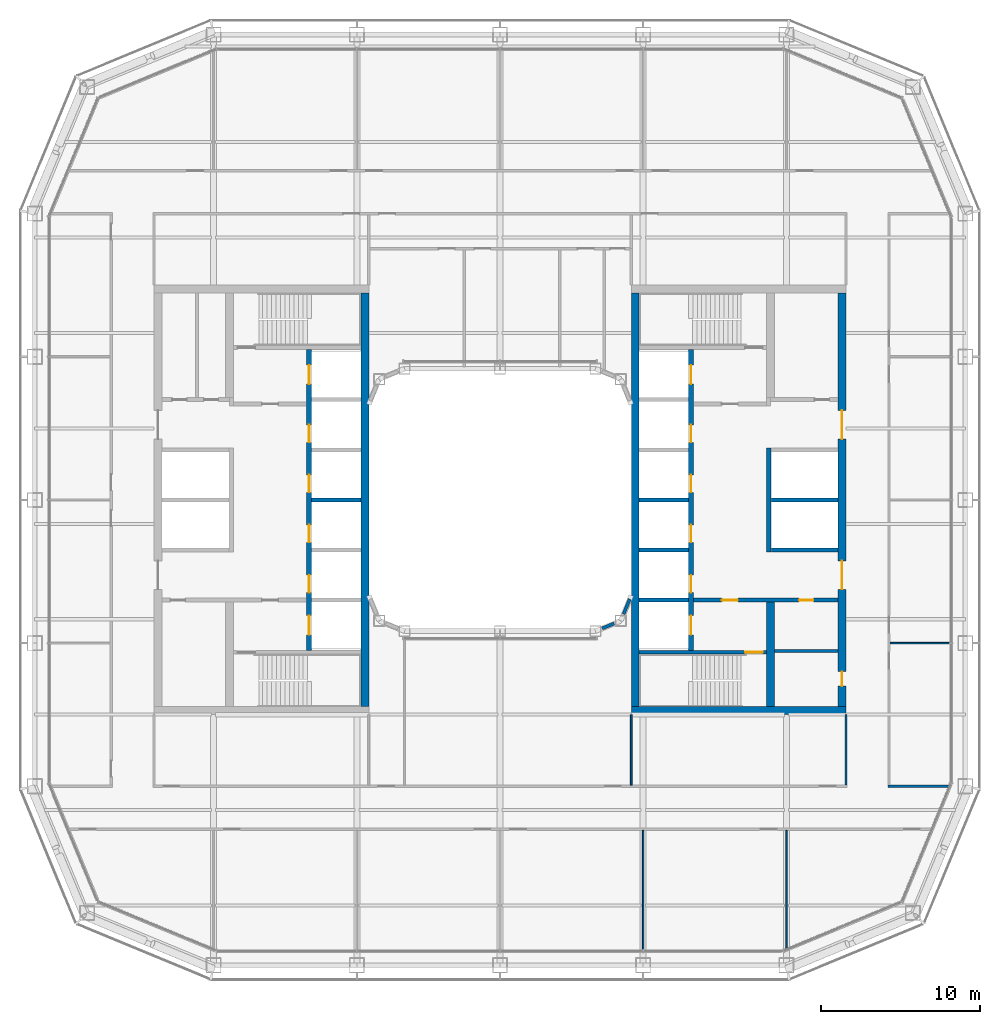
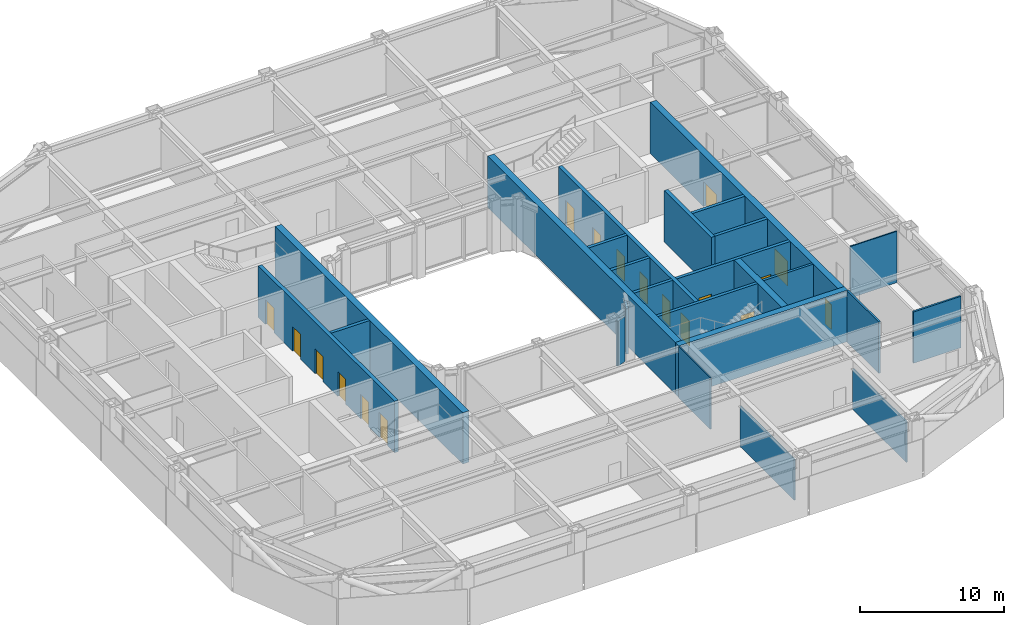
# One storey, part 12 of 21: 25 walls, 18 doors, 18 openings.
"""IFC4 building model written with IfcOpenShell, lengths in metres."""

from ifc_helpers import new_model, si_unit, direction, frame, frame_2d, origin, place, context, subcontext, project, spatial, rectangle, extrude, material, layer, layer_set, type_object, element, fill, save


model = new_model("IFC4")

# Units and contexts
model_context = context("Model", 3, precision=1e-05, world=origin(), true_north=direction((0.0, 1.0)))
body_context = subcontext(model_context, "Body", "Model", "MODEL_VIEW")
ifc_project = project(units=[si_unit("LENGTHUNIT", "METRE"), si_unit("AREAUNIT", "SQUARE_METRE"), si_unit("VOLUMEUNIT", "CUBIC_METRE"), si_unit("PLANEANGLEUNIT", "RADIAN"), si_unit("MASSUNIT", "GRAM", prefix="KILO")], contexts=[model_context])

# Site, building, storey
site_placement = place(None, origin())
site = spatial("IfcSite", under=ifc_project, at=site_placement, CompositionType="ELEMENT")
building_placement = place(site_placement, origin())
building = spatial("IfcBuilding", under=site, at=building_placement, Name="Siwar Civic Tower", CompositionType="ELEMENT")
storey_placement = place(building_placement, frame((0.0, 0.0, 122.699951171875)))
storey = spatial("IfcBuildingStorey", under=building, at=storey_placement, Name="L26", CompositionType="ELEMENT", Elevation=122.699951171875)

# Walls
ifc_material_1 = material(Name="Gypsum board on steel studs", Category="steel")
ifc_layer_1 = layer(ifc_material_1, 0.199951171875)
ifc_layer_set_1 = layer_set([ifc_layer_1], Name="Gypsum board on steel studs")
wall_type_1 = type_object("IfcWallType", Name="CORE-PARTITION-200", PredefinedType="PARTITIONING", material=ifc_layer_set_1)
wall_1_placement = place(storey_placement, frame((17.25, -9.5, 0.0), z_axis=(0.0, 0.0, 1.0), x_axis=(1.0, 0.0, 0.0)))
element("IfcWall", 1, at=wall_1_placement, inside=storey, type_object=wall_type_1, Name="Core partition E", PredefinedType="PARTITIONING", context=body_context, shape_type="SweptSolid", body=[
    extrude(rectangle(XDim=4.0, YDim=0.199951171875, at=frame_2d((2.0, 0.0))), origin(), (0.0, 0.0, 1.0), 4.35009765625),
])
ifc_material_2 = material(Name="Concrete C60/75", Category="concrete")
ifc_layer_2 = layer(ifc_material_2, 0.25)
ifc_layer_set_2 = layer_set([ifc_layer_2], Name="Concrete C60/75")
wall_type_2 = type_object("IfcWallType", Name="CORE-WALL-RC250", PredefinedType="SHEAR", material=ifc_layer_set_2)
wall_2_placement = place(storey_placement, frame((-8.75, 0.0, 0.0), z_axis=(0.0, 0.0, 1.0), x_axis=(-1.0, 0.0, 0.0)))
element("IfcWall", 2, at=wall_2_placement, inside=storey, type_object=wall_type_2, Name="Core wall W", PredefinedType="SHEAR", context=body_context, shape_type="SweptSolid", body=[
    extrude(rectangle(XDim=3.10009765625, YDim=0.25, at=frame_2d((1.550048828125, 0.0))), origin(), (0.0, 0.0, 1.0), 4.35009765625),
])

# Wall, openings, doors
wall_3_placement = place(storey_placement, frame((12.14990234375, -6.300048828125, 0.0), z_axis=(0.0, 0.0, 1.0), x_axis=(1.0, 0.0, 0.0)))
wall_3 = element("IfcWall", 3, at=wall_3_placement, inside=storey, type_object=wall_type_2, Name="Core wall E", PredefinedType="SHEAR", context=body_context, shape_type="SweptSolid", body=[
    extrude(rectangle(XDim=9.10009765625, YDim=0.25, at=frame_2d((4.550048828125, 0.0))), origin(), (0.0, 0.0, 1.0), 4.35009765625),
])
opening_1_placement = place(wall_3_placement, frame((1.800048828125, 0.0, 0.0)))
opening_1 = element("IfcOpeningElement", 4, at=opening_1_placement, cuts=wall_3, Name="Opening L26-CE02", PredefinedType="OPENING", context=body_context, shape_type="SweptSolid", body=[
    extrude(rectangle(XDim=1.0, YDim=2.10009765625, at=frame_2d((0.5, 1.050048828125))), frame((0.0, 0.135009765625, 0.0), z_axis=(0.0, -1.0, 0.0), x_axis=(1.0, 0.0, 0.0)), (0.0, 0.0, 1.0), 0.27001953125),
])
opening_2_placement = place(wall_3_placement, frame((6.64990234375, 0.0, 0.0)))
opening_2 = element("IfcOpeningElement", 5, at=opening_2_placement, cuts=wall_3, Name="Opening L26-CE14", PredefinedType="OPENING", context=body_context, shape_type="SweptSolid", body=[
    extrude(rectangle(XDim=0.89990234375, YDim=2.10009765625, at=frame_2d((0.449951171875, 1.050048828125))), frame((0.0, 0.135009765625, 0.0), z_axis=(0.0, -1.0, 0.0), x_axis=(1.0, 0.0, 0.0)), (0.0, 0.0, 1.0), 0.27001953125),
])
ifc_material_3 = material(Name="Steel door leaf", Category="steel")
door_type_1 = type_object("IfcDoorType", Name="CORE-DOOR-FD30S", OperationType="SINGLE_SWING_LEFT", PredefinedType="DOOR", material=ifc_material_3)
door_1_placement = place(opening_1_placement, origin())
door_1 = element("IfcDoor", 6, at=door_1_placement, inside=storey, type_object=door_type_1, Name="Service lobby door L26-CE02", OperationType="SINGLE_SWING_LEFT", OverallHeight=2.10009765625, OverallWidth=1.0, PredefinedType="DOOR", context=body_context, shape_type="SweptSolid", body=[
    extrude(rectangle(XDim=1.0, YDim=2.10009765625, at=frame_2d((0.5, 1.050048828125))), frame((0.0, 0.02490234375, 0.0), z_axis=(0.0, -1.0, 0.0), x_axis=(1.0, 0.0, 0.0)), (0.0, 0.0, 1.0), 0.050048828125),
])
fill(opening_1, door_1)
ifc_material_4 = material(Name="Steel door leaf", Category="steel")
door_type_2 = type_object("IfcDoorType", Name="CORE-DOOR-ROOM", OperationType="SINGLE_SWING_LEFT", PredefinedType="DOOR", material=ifc_material_4)
door_2_placement = place(opening_2_placement, origin())
door_2 = element("IfcDoor", 7, at=door_2_placement, inside=storey, type_object=door_type_2, Name="Core room door L26-CE14", OperationType="SINGLE_SWING_LEFT", OverallHeight=2.10009765625, OverallWidth=0.89990234375, PredefinedType="DOOR", context=body_context, shape_type="SweptSolid", body=[
    extrude(rectangle(XDim=0.89990234375, YDim=2.10009765625, at=frame_2d((0.449951171875, 1.050048828125))), frame((0.0, 0.02490234375, 0.0), z_axis=(0.0, -1.0, 0.0), x_axis=(1.0, 0.0, 0.0)), (0.0, 0.0, 1.0), 0.050048828125),
])
fill(opening_2, door_2)

# Walls
for number, where, z_axis, x_axis, name in (
    (8, (17.050048828125, 0.0, 0.0), (0.0, 0.0, 1.0), (1.0, 0.0, 0.0), "Core wall E"),
    (9, (17.050048828125, -3.14990234375, 0.0), (0.0, 0.0, 1.0), (1.0, 0.0, 0.0), "Core wall E"),
):
    element("IfcWall", number, at=place(storey_placement, frame(where, z_axis=z_axis, x_axis=x_axis)), inside=storey, type_object=wall_type_2, Name=name, PredefinedType="SHEAR", context=body_context, shape_type="SweptSolid", body=[
        extrude(rectangle(XDim=4.199951171875, YDim=0.25, at=frame_2d((2.10009765625, 0.0))), origin(), (0.0, 0.0, 1.0), 4.35009765625),
    ])
for number, where, z_axis, x_axis, name in (
    (10, (8.75, 0.0, 0.0), (0.0, 0.0, 1.0), (1.0, 0.0, 0.0), "Core wall E"),
    (11, (8.75, -3.14990234375, 0.0), (0.0, 0.0, 1.0), (1.0, 0.0, 0.0), "Core wall E"),
    (12, (8.75, -6.300048828125, 0.0), (0.0, 0.0, 1.0), (1.0, 0.0, 0.0), "Core wall E"),
):
    element("IfcWall", number, at=place(storey_placement, frame(where, z_axis=z_axis, x_axis=x_axis)), inside=storey, type_object=wall_type_2, Name=name, PredefinedType="SHEAR", context=body_context, shape_type="SweptSolid", body=[
        extrude(rectangle(XDim=3.10009765625, YDim=0.25, at=frame_2d((1.550048828125, 0.0))), origin(), (0.0, 0.0, 1.0), 4.35009765625),
    ])

# Wall, opening, door
wall_4_placement = place(storey_placement, frame((8.75, -9.574951171875, 0.0), z_axis=(0.0, 0.0, 1.0), x_axis=(1.0, 0.0, 0.0)))
wall_4 = element("IfcWall", 13, at=wall_4_placement, inside=storey, type_object=wall_type_2, Name="Core wall E", PredefinedType="SHEAR", context=body_context, shape_type="SweptSolid", body=[
    extrude(rectangle(XDim=8.0, YDim=0.25, at=frame_2d((4.0, 0.0))), origin(), (0.0, 0.0, 1.0), 4.35009765625),
])
opening_3_placement = place(wall_4_placement, frame((6.64990234375, 0.0, 0.0)))
opening_3 = element("IfcOpeningElement", 14, at=opening_3_placement, cuts=wall_4, Name="Opening L26-CE04", PredefinedType="OPENING", context=body_context, shape_type="SweptSolid", body=[
    extrude(rectangle(XDim=1.10009765625, YDim=2.10009765625, at=frame_2d((0.550048828125, 1.050048828125))), frame((0.0, 0.135009765625, 0.0), z_axis=(0.0, -1.0, 0.0), x_axis=(1.0, 0.0, 0.0)), (0.0, 0.0, 1.0), 0.27001953125),
])
ifc_material_5 = material(Name="Steel door leaf", Category="steel")
door_type_3 = type_object("IfcDoorType", Name="CORE-DOOR-FD60S", OperationType="SINGLE_SWING_LEFT", PredefinedType="DOOR", material=ifc_material_5)
door_3_placement = place(opening_3_placement, origin())
door_3 = element("IfcDoor", 15, at=door_3_placement, inside=storey, type_object=door_type_3, Name="Stair door L26-CE04", OperationType="SINGLE_SWING_RIGHT", OverallHeight=2.10009765625, OverallWidth=1.10009765625, PredefinedType="DOOR", context=body_context, shape_type="SweptSolid", body=[
    extrude(rectangle(XDim=1.10009765625, YDim=2.10009765625, at=frame_2d((0.550048828125, 1.050048828125))), frame((0.0, 0.02490234375, 0.0), z_axis=(0.0, -1.0, 0.0), x_axis=(1.0, 0.0, 0.0)), (0.0, 0.0, 1.0), 0.050048828125),
])
fill(opening_3, door_3)

# Wall, openings, doors
ifc_material_6 = material(Name="Concrete C60/75", Category="concrete")
ifc_layer_3 = layer(ifc_material_6, 0.300048828125)
ifc_layer_set_3 = layer_set([ifc_layer_3], Name="Concrete C60/75")
wall_type_3 = type_object("IfcWallType", Name="CORE-WALL-RC300", PredefinedType="SHEAR", material=ifc_layer_set_3)
wall_5_placement = place(storey_placement, frame((-12.0, -9.449951171875, 0.0), z_axis=(0.0, 0.0, 1.0), x_axis=(0.0, 1.0, 0.0)))
wall_5 = element("IfcWall", 16, at=wall_5_placement, inside=storey, type_object=wall_type_3, Name="Core wall W", PredefinedType="SHEAR", context=body_context, shape_type="SweptSolid", body=[
    extrude(rectangle(XDim=18.89990234375, YDim=0.300048828125, at=frame_2d((9.449951171875, 0.0))), origin(), (0.0, 0.0, 1.0), 4.35009765625),
])
opening_4_placement = place(wall_5_placement, frame((3.625, 0.0, 0.0)))
opening_4 = element("IfcOpeningElement", 17, at=opening_4_placement, cuts=wall_5, Name="Opening L26-CW07", PredefinedType="OPENING", context=body_context, shape_type="SweptSolid", body=[
    extrude(rectangle(XDim=1.10009765625, YDim=2.10009765625, at=frame_2d((0.550048828125, 1.050048828125))), frame((0.0, 0.16015625, 0.0), z_axis=(0.0, -1.0, 0.0), x_axis=(1.0, 0.0, 0.0)), (0.0, 0.0, 1.0), 0.320068359375),
])
opening_5_placement = place(wall_5_placement, frame((6.77490234375, 0.0, 0.0)))
opening_5 = element("IfcOpeningElement", 18, at=opening_5_placement, cuts=wall_5, Name="Opening L26-CW08", PredefinedType="OPENING", context=body_context, shape_type="SweptSolid", body=[
    extrude(rectangle(XDim=1.10009765625, YDim=2.10009765625, at=frame_2d((0.550048828125, 1.050048828125))), frame((0.0, 0.16015625, 0.0), z_axis=(0.0, -1.0, 0.0), x_axis=(1.0, 0.0, 0.0)), (0.0, 0.0, 1.0), 0.320068359375),
])
opening_6_placement = place(wall_5_placement, frame((9.925048828125, 0.0, 0.0)))
opening_6 = element("IfcOpeningElement", 19, at=opening_6_placement, cuts=wall_5, Name="Opening L26-CW09", PredefinedType="OPENING", context=body_context, shape_type="SweptSolid", body=[
    extrude(rectangle(XDim=1.10009765625, YDim=2.10009765625, at=frame_2d((0.550048828125, 1.050048828125))), frame((0.0, 0.16015625, 0.0), z_axis=(0.0, -1.0, 0.0), x_axis=(1.0, 0.0, 0.0)), (0.0, 0.0, 1.0), 0.320068359375),
])
opening_7_placement = place(wall_5_placement, frame((13.074951171875, 0.0, 0.0)))
opening_7 = element("IfcOpeningElement", 20, at=opening_7_placement, cuts=wall_5, Name="Opening L26-CW10", PredefinedType="OPENING", context=body_context, shape_type="SweptSolid", body=[
    extrude(rectangle(XDim=1.10009765625, YDim=2.10009765625, at=frame_2d((0.550048828125, 1.050048828125))), frame((0.0, 0.16015625, 0.0), z_axis=(0.0, -1.0, 0.0), x_axis=(1.0, 0.0, 0.0)), (0.0, 0.0, 1.0), 0.320068359375),
])
opening_8_placement = place(wall_5_placement, frame((16.72509765625, 0.0, 0.0)))
opening_8 = element("IfcOpeningElement", 21, at=opening_8_placement, cuts=wall_5, Name="Opening L26-CW11", PredefinedType="OPENING", context=body_context, shape_type="SweptSolid", body=[
    extrude(rectangle(XDim=1.199951171875, YDim=2.10009765625, at=frame_2d((0.60009765625, 1.050048828125))), frame((0.0, 0.16015625, 0.0), z_axis=(0.0, -1.0, 0.0), x_axis=(1.0, 0.0, 0.0)), (0.0, 0.0, 1.0), 0.320068359375),
])
opening_9_placement = place(wall_5_placement, frame((0.97509765625, 0.0, 0.0)))
opening_9 = element("IfcOpeningElement", 22, at=opening_9_placement, cuts=wall_5, Name="Opening L26-CW12", PredefinedType="OPENING", context=body_context, shape_type="SweptSolid", body=[
    extrude(rectangle(XDim=1.199951171875, YDim=2.10009765625, at=frame_2d((0.60009765625, 1.050048828125))), frame((0.0, 0.16015625, 0.0), z_axis=(0.0, -1.0, 0.0), x_axis=(1.0, 0.0, 0.0)), (0.0, 0.0, 1.0), 0.320068359375),
])
ifc_material_7 = material(Name="Steel door leaf", Category="steel")
door_type_4 = type_object("IfcDoorType", Name="CORE-DOOR-LD", OperationType="DOUBLE_DOOR_SLIDING", PredefinedType="DOOR", material=ifc_material_7)
door_4_placement = place(opening_4_placement, origin())
door_4 = element("IfcDoor", 23, at=door_4_placement, inside=storey, type_object=door_type_4, Name="Landing door LR1 L26-CW07", OperationType="DOUBLE_DOOR_SLIDING", OverallHeight=2.10009765625, OverallWidth=1.10009765625, PredefinedType="DOOR", context=body_context, shape_type="SweptSolid", body=[
    extrude(rectangle(XDim=1.10009765625, YDim=2.10009765625, at=frame_2d((0.550048828125, 1.050048828125))), frame((0.0, 0.02490234375, 0.0), z_axis=(0.0, -1.0, 0.0), x_axis=(1.0, 0.0, 0.0)), (0.0, 0.0, 1.0), 0.050048828125),
])
fill(opening_4, door_4)
door_5_placement = place(opening_5_placement, origin())
door_5 = element("IfcDoor", 24, at=door_5_placement, inside=storey, type_object=door_type_4, Name="Landing door LR2 L26-CW08", OperationType="DOUBLE_DOOR_SLIDING", OverallHeight=2.10009765625, OverallWidth=1.10009765625, PredefinedType="DOOR", context=body_context, shape_type="SweptSolid", body=[
    extrude(rectangle(XDim=1.10009765625, YDim=2.10009765625, at=frame_2d((0.550048828125, 1.050048828125))), frame((0.0, 0.02490234375, 0.0), z_axis=(0.0, -1.0, 0.0), x_axis=(1.0, 0.0, 0.0)), (0.0, 0.0, 1.0), 0.050048828125),
])
fill(opening_5, door_5)
door_6_placement = place(opening_6_placement, origin())
door_6 = element("IfcDoor", 25, at=door_6_placement, inside=storey, type_object=door_type_4, Name="Landing door LR3 L26-CW09", OperationType="DOUBLE_DOOR_SLIDING", OverallHeight=2.10009765625, OverallWidth=1.10009765625, PredefinedType="DOOR", context=body_context, shape_type="SweptSolid", body=[
    extrude(rectangle(XDim=1.10009765625, YDim=2.10009765625, at=frame_2d((0.550048828125, 1.050048828125))), frame((0.0, 0.02490234375, 0.0), z_axis=(0.0, -1.0, 0.0), x_axis=(1.0, 0.0, 0.0)), (0.0, 0.0, 1.0), 0.050048828125),
])
fill(opening_6, door_6)
door_7_placement = place(opening_7_placement, origin())
door_7 = element("IfcDoor", 26, at=door_7_placement, inside=storey, type_object=door_type_4, Name="Landing door LR4 L26-CW10", OperationType="DOUBLE_DOOR_SLIDING", OverallHeight=2.10009765625, OverallWidth=1.10009765625, PredefinedType="DOOR", context=body_context, shape_type="SweptSolid", body=[
    extrude(rectangle(XDim=1.10009765625, YDim=2.10009765625, at=frame_2d((0.550048828125, 1.050048828125))), frame((0.0, 0.02490234375, 0.0), z_axis=(0.0, -1.0, 0.0), x_axis=(1.0, 0.0, 0.0)), (0.0, 0.0, 1.0), 0.050048828125),
])
fill(opening_7, door_7)
ifc_material_8 = material(Name="Steel door leaf", Category="steel")
door_type_5 = type_object("IfcDoorType", Name="CORE-DOOR-LDW", OperationType="DOUBLE_DOOR_SLIDING", PredefinedType="DOOR", material=ifc_material_8)
door_8_placement = place(opening_8_placement, origin())
door_8 = element("IfcDoor", 27, at=door_8_placement, inside=storey, type_object=door_type_5, Name="Landing door FF1 L26-CW11", OperationType="DOUBLE_DOOR_SLIDING", OverallHeight=2.10009765625, OverallWidth=1.199951171875, PredefinedType="DOOR", context=body_context, shape_type="SweptSolid", body=[
    extrude(rectangle(XDim=1.199951171875, YDim=2.10009765625, at=frame_2d((0.60009765625, 1.050048828125))), frame((0.0, 0.02490234375, 0.0), z_axis=(0.0, -1.0, 0.0), x_axis=(1.0, 0.0, 0.0)), (0.0, 0.0, 1.0), 0.050048828125),
])
fill(opening_8, door_8)
door_9_placement = place(opening_9_placement, origin())
door_9 = element("IfcDoor", 28, at=door_9_placement, inside=storey, type_object=door_type_5, Name="Landing door SV1 L26-CW12", OperationType="DOUBLE_DOOR_SLIDING", OverallHeight=2.10009765625, OverallWidth=1.199951171875, PredefinedType="DOOR", context=body_context, shape_type="SweptSolid", body=[
    extrude(rectangle(XDim=1.199951171875, YDim=2.10009765625, at=frame_2d((0.60009765625, 1.050048828125))), frame((0.0, 0.02490234375, 0.0), z_axis=(0.0, -1.0, 0.0), x_axis=(1.0, 0.0, 0.0)), (0.0, 0.0, 1.0), 0.050048828125),
])
fill(opening_9, door_9)

wall_6_placement = place(storey_placement, frame((12.0, -9.449951171875, 0.0), z_axis=(0.0, 0.0, 1.0), x_axis=(0.0, 1.0, 0.0)))
wall_6 = element("IfcWall", 29, at=wall_6_placement, inside=storey, type_object=wall_type_3, Name="Core wall E", PredefinedType="SHEAR", context=body_context, shape_type="SweptSolid", body=[
    extrude(rectangle(XDim=18.89990234375, YDim=0.300048828125, at=frame_2d((9.449951171875, 0.0))), origin(), (0.0, 0.0, 1.0), 4.35009765625),
])
opening_10_placement = place(wall_6_placement, frame((3.625, 0.0, 0.0)))
opening_10 = element("IfcOpeningElement", 30, at=opening_10_placement, cuts=wall_6, Name="Opening L26-CE07", PredefinedType="OPENING", context=body_context, shape_type="SweptSolid", body=[
    extrude(rectangle(XDim=1.10009765625, YDim=2.10009765625, at=frame_2d((0.550048828125, 1.050048828125))), frame((0.0, 0.16015625, 0.0), z_axis=(0.0, -1.0, 0.0), x_axis=(1.0, 0.0, 0.0)), (0.0, 0.0, 1.0), 0.320068359375),
])
opening_11_placement = place(wall_6_placement, frame((6.77490234375, 0.0, 0.0)))
opening_11 = element("IfcOpeningElement", 31, at=opening_11_placement, cuts=wall_6, Name="Opening L26-CE08", PredefinedType="OPENING", context=body_context, shape_type="SweptSolid", body=[
    extrude(rectangle(XDim=1.10009765625, YDim=2.10009765625, at=frame_2d((0.550048828125, 1.050048828125))), frame((0.0, 0.16015625, 0.0), z_axis=(0.0, -1.0, 0.0), x_axis=(1.0, 0.0, 0.0)), (0.0, 0.0, 1.0), 0.320068359375),
])
opening_12_placement = place(wall_6_placement, frame((9.925048828125, 0.0, 0.0)))
opening_12 = element("IfcOpeningElement", 32, at=opening_12_placement, cuts=wall_6, Name="Opening L26-CE09", PredefinedType="OPENING", context=body_context, shape_type="SweptSolid", body=[
    extrude(rectangle(XDim=1.10009765625, YDim=2.10009765625, at=frame_2d((0.550048828125, 1.050048828125))), frame((0.0, 0.16015625, 0.0), z_axis=(0.0, -1.0, 0.0), x_axis=(1.0, 0.0, 0.0)), (0.0, 0.0, 1.0), 0.320068359375),
])
opening_13_placement = place(wall_6_placement, frame((13.074951171875, 0.0, 0.0)))
opening_13 = element("IfcOpeningElement", 33, at=opening_13_placement, cuts=wall_6, Name="Opening L26-CE10", PredefinedType="OPENING", context=body_context, shape_type="SweptSolid", body=[
    extrude(rectangle(XDim=1.10009765625, YDim=2.10009765625, at=frame_2d((0.550048828125, 1.050048828125))), frame((0.0, 0.16015625, 0.0), z_axis=(0.0, -1.0, 0.0), x_axis=(1.0, 0.0, 0.0)), (0.0, 0.0, 1.0), 0.320068359375),
])
opening_14_placement = place(wall_6_placement, frame((16.72509765625, 0.0, 0.0)))
opening_14 = element("IfcOpeningElement", 34, at=opening_14_placement, cuts=wall_6, Name="Opening L26-CE11", PredefinedType="OPENING", context=body_context, shape_type="SweptSolid", body=[
    extrude(rectangle(XDim=1.199951171875, YDim=2.10009765625, at=frame_2d((0.60009765625, 1.050048828125))), frame((0.0, 0.16015625, 0.0), z_axis=(0.0, -1.0, 0.0), x_axis=(1.0, 0.0, 0.0)), (0.0, 0.0, 1.0), 0.320068359375),
])
opening_15_placement = place(wall_6_placement, frame((0.97509765625, 0.0, 0.0)))
opening_15 = element("IfcOpeningElement", 35, at=opening_15_placement, cuts=wall_6, Name="Opening L26-CE12", PredefinedType="OPENING", context=body_context, shape_type="SweptSolid", body=[
    extrude(rectangle(XDim=1.199951171875, YDim=2.10009765625, at=frame_2d((0.60009765625, 1.050048828125))), frame((0.0, 0.16015625, 0.0), z_axis=(0.0, -1.0, 0.0), x_axis=(1.0, 0.0, 0.0)), (0.0, 0.0, 1.0), 0.320068359375),
])
door_10_placement = place(opening_10_placement, origin())
door_10 = element("IfcDoor", 36, at=door_10_placement, inside=storey, type_object=door_type_4, Name="Landing door LR5 L26-CE07", OperationType="DOUBLE_DOOR_SLIDING", OverallHeight=2.10009765625, OverallWidth=1.10009765625, PredefinedType="DOOR", context=body_context, shape_type="SweptSolid", body=[
    extrude(rectangle(XDim=1.10009765625, YDim=2.10009765625, at=frame_2d((0.550048828125, 1.050048828125))), frame((0.0, 0.02490234375, 0.0), z_axis=(0.0, -1.0, 0.0), x_axis=(1.0, 0.0, 0.0)), (0.0, 0.0, 1.0), 0.050048828125),
])
fill(opening_10, door_10)
door_11_placement = place(opening_11_placement, origin())
door_11 = element("IfcDoor", 37, at=door_11_placement, inside=storey, type_object=door_type_4, Name="Landing door LR6 L26-CE08", OperationType="DOUBLE_DOOR_SLIDING", OverallHeight=2.10009765625, OverallWidth=1.10009765625, PredefinedType="DOOR", context=body_context, shape_type="SweptSolid", body=[
    extrude(rectangle(XDim=1.10009765625, YDim=2.10009765625, at=frame_2d((0.550048828125, 1.050048828125))), frame((0.0, 0.02490234375, 0.0), z_axis=(0.0, -1.0, 0.0), x_axis=(1.0, 0.0, 0.0)), (0.0, 0.0, 1.0), 0.050048828125),
])
fill(opening_11, door_11)
door_12_placement = place(opening_12_placement, origin())
door_12 = element("IfcDoor", 38, at=door_12_placement, inside=storey, type_object=door_type_4, Name="Landing door LR7 L26-CE09", OperationType="DOUBLE_DOOR_SLIDING", OverallHeight=2.10009765625, OverallWidth=1.10009765625, PredefinedType="DOOR", context=body_context, shape_type="SweptSolid", body=[
    extrude(rectangle(XDim=1.10009765625, YDim=2.10009765625, at=frame_2d((0.550048828125, 1.050048828125))), frame((0.0, 0.02490234375, 0.0), z_axis=(0.0, -1.0, 0.0), x_axis=(1.0, 0.0, 0.0)), (0.0, 0.0, 1.0), 0.050048828125),
])
fill(opening_12, door_12)
door_13_placement = place(opening_13_placement, origin())
door_13 = element("IfcDoor", 39, at=door_13_placement, inside=storey, type_object=door_type_4, Name="Landing door LR8 L26-CE10", OperationType="DOUBLE_DOOR_SLIDING", OverallHeight=2.10009765625, OverallWidth=1.10009765625, PredefinedType="DOOR", context=body_context, shape_type="SweptSolid", body=[
    extrude(rectangle(XDim=1.10009765625, YDim=2.10009765625, at=frame_2d((0.550048828125, 1.050048828125))), frame((0.0, 0.02490234375, 0.0), z_axis=(0.0, -1.0, 0.0), x_axis=(1.0, 0.0, 0.0)), (0.0, 0.0, 1.0), 0.050048828125),
])
fill(opening_13, door_13)
door_14_placement = place(opening_14_placement, origin())
door_14 = element("IfcDoor", 40, at=door_14_placement, inside=storey, type_object=door_type_5, Name="Landing door FF2 L26-CE11", OperationType="DOUBLE_DOOR_SLIDING", OverallHeight=2.10009765625, OverallWidth=1.199951171875, PredefinedType="DOOR", context=body_context, shape_type="SweptSolid", body=[
    extrude(rectangle(XDim=1.199951171875, YDim=2.10009765625, at=frame_2d((0.60009765625, 1.050048828125))), frame((0.0, 0.02490234375, 0.0), z_axis=(0.0, -1.0, 0.0), x_axis=(1.0, 0.0, 0.0)), (0.0, 0.0, 1.0), 0.050048828125),
])
fill(opening_14, door_14)
door_15_placement = place(opening_15_placement, origin())
door_15 = element("IfcDoor", 41, at=door_15_placement, inside=storey, type_object=door_type_5, Name="Landing door SV2 L26-CE12", OperationType="DOUBLE_DOOR_SLIDING", OverallHeight=2.10009765625, OverallWidth=1.199951171875, PredefinedType="DOOR", context=body_context, shape_type="SweptSolid", body=[
    extrude(rectangle(XDim=1.199951171875, YDim=2.10009765625, at=frame_2d((0.60009765625, 1.050048828125))), frame((0.0, 0.02490234375, 0.0), z_axis=(0.0, -1.0, 0.0), x_axis=(1.0, 0.0, 0.0)), (0.0, 0.0, 1.0), 0.050048828125),
])
fill(opening_15, door_15)

# Wall
wall_7_placement = place(storey_placement, frame((16.89990234375, -3.27490234375, 0.0), z_axis=(0.0, 0.0, 1.0), x_axis=(0.0, 1.0, 0.0)))
element("IfcWall", 42, at=wall_7_placement, inside=storey, type_object=wall_type_3, Name="Core wall E", PredefinedType="SHEAR", context=body_context, shape_type="SweptSolid", body=[
    extrude(rectangle(XDim=6.5498046875, YDim=0.300048828125, at=frame_2d((3.27490234375, 0.0))), origin(), (0.0, 0.0, 1.0), 4.35009765625),
])

# Wall, openings, doors
ifc_material_9 = material(Name="Concrete C60/75", Category="concrete")
ifc_layer_4 = layer(ifc_material_9, 0.5)
ifc_layer_set_4 = layer_set([ifc_layer_4], Name="Concrete C60/75")
wall_type_4 = type_object("IfcWallType", Name="CORE-WALL-RC500", PredefinedType="SHEAR", material=ifc_layer_set_4)
wall_8_placement = place(storey_placement, frame((21.5, -13.0, 0.0), z_axis=(0.0, 0.0, 1.0), x_axis=(0.0, 1.0, 0.0)))
wall_8 = element("IfcWall", 43, at=wall_8_placement, inside=storey, type_object=wall_type_4, Name="Core wall E", PredefinedType="SHEAR", context=body_context, shape_type="SweptSolid", body=[
    extrude(rectangle(XDim=26.0, YDim=0.5, at=frame_2d((13.0, 0.0))), origin(), (0.0, 0.0, 1.0), 4.35009765625),
])
opening_16_placement = place(wall_8_placement, frame((16.824951171875, 0.0, 0.0)))
opening_16 = element("IfcOpeningElement", 44, at=opening_16_placement, cuts=wall_8, Name="Opening L26-CE05", PredefinedType="OPENING", context=body_context, shape_type="SweptSolid", body=[
    extrude(rectangle(XDim=1.800048828125, YDim=2.10009765625, at=frame_2d((0.89990234375, 1.050048828125))), frame((0.0, 0.260009765625, 0.0), z_axis=(0.0, -1.0, 0.0), x_axis=(1.0, 0.0, 0.0)), (0.0, 0.0, 1.0), 0.52001953125),
])
opening_17_placement = place(wall_8_placement, frame((7.375, 0.0, 0.0)))
opening_17 = element("IfcOpeningElement", 45, at=opening_17_placement, cuts=wall_8, Name="Opening L26-CE06", PredefinedType="OPENING", context=body_context, shape_type="SweptSolid", body=[
    extrude(rectangle(XDim=1.800048828125, YDim=2.10009765625, at=frame_2d((0.89990234375, 1.050048828125))), frame((0.0, 0.260009765625, 0.0), z_axis=(0.0, -1.0, 0.0), x_axis=(1.0, 0.0, 0.0)), (0.0, 0.0, 1.0), 0.52001953125),
])
opening_18_placement = place(wall_8_placement, frame((1.300048828125, 0.0, 0.0)))
opening_18 = element("IfcOpeningElement", 46, at=opening_18_placement, cuts=wall_8, Name="Opening L26-CE15", PredefinedType="OPENING", context=body_context, shape_type="SweptSolid", body=[
    extrude(rectangle(XDim=0.89990234375, YDim=2.10009765625, at=frame_2d((0.449951171875, 1.050048828125))), frame((0.0, 0.260009765625, 0.0), z_axis=(0.0, -1.0, 0.0), x_axis=(1.0, 0.0, 0.0)), (0.0, 0.0, 1.0), 0.52001953125),
])
ifc_material_10 = material(Name="Steel door leaf", Category="steel")
door_type_6 = type_object("IfcDoorType", Name="CORE-DOOR-PORT", OperationType="DOUBLE_DOOR_DOUBLE_SWING", PredefinedType="DOOR", material=ifc_material_10)
door_16_placement = place(opening_16_placement, origin())
door_16 = element("IfcDoor", 47, at=door_16_placement, inside=storey, type_object=door_type_6, Name="Core entrance door L26-CE05", OperationType="DOUBLE_DOOR_DOUBLE_SWING", OverallHeight=2.10009765625, OverallWidth=1.800048828125, PredefinedType="DOOR", context=body_context, shape_type="SweptSolid", body=[
    extrude(rectangle(XDim=1.800048828125, YDim=2.10009765625, at=frame_2d((0.89990234375, 1.050048828125))), frame((0.0, 0.02490234375, 0.0), z_axis=(0.0, -1.0, 0.0), x_axis=(1.0, 0.0, 0.0)), (0.0, 0.0, 1.0), 0.050048828125),
])
fill(opening_16, door_16)
door_17_placement = place(opening_17_placement, origin())
door_17 = element("IfcDoor", 48, at=door_17_placement, inside=storey, type_object=door_type_6, Name="Core entrance door L26-CE06", OperationType="DOUBLE_DOOR_DOUBLE_SWING", OverallHeight=2.10009765625, OverallWidth=1.800048828125, PredefinedType="DOOR", context=body_context, shape_type="SweptSolid", body=[
    extrude(rectangle(XDim=1.800048828125, YDim=2.10009765625, at=frame_2d((0.89990234375, 1.050048828125))), frame((0.0, 0.02490234375, 0.0), z_axis=(0.0, -1.0, 0.0), x_axis=(1.0, 0.0, 0.0)), (0.0, 0.0, 1.0), 0.050048828125),
])
fill(opening_17, door_17)
door_18_placement = place(opening_18_placement, origin())
door_18 = element("IfcDoor", 49, at=door_18_placement, inside=storey, type_object=door_type_2, Name="Core room door L26-CE15", OperationType="SINGLE_SWING_LEFT", OverallHeight=2.10009765625, OverallWidth=0.89990234375, PredefinedType="DOOR", context=body_context, shape_type="SweptSolid", body=[
    extrude(rectangle(XDim=0.89990234375, YDim=2.10009765625, at=frame_2d((0.449951171875, 1.050048828125))), frame((0.0, 0.02490234375, 0.0), z_axis=(0.0, -1.0, 0.0), x_axis=(1.0, 0.0, 0.0)), (0.0, 0.0, 1.0), 0.050048828125),
])
fill(opening_18, door_18)

# Walls
wall_9_placement = place(storey_placement, frame((17.0, -13.0, 0.0), z_axis=(0.0, 0.0, 1.0), x_axis=(0.0, 1.0, 0.0)))
element("IfcWall", 50, at=wall_9_placement, inside=storey, type_object=wall_type_4, Name="Core wall E", PredefinedType="SHEAR", context=body_context, shape_type="SweptSolid", body=[
    extrude(rectangle(XDim=6.574951171875, YDim=0.5, at=frame_2d((3.28759765625, 0.0))), origin(), (0.0, 0.0, 1.0), 4.35009765625),
])
wall_10_placement = place(storey_placement, frame((8.25, -13.25, 0.0), z_axis=(0.0, 0.0, 1.0), x_axis=(1.0, 0.0, 0.0)))
element("IfcWall", 51, at=wall_10_placement, inside=storey, type_object=wall_type_4, Name="Core wall E", PredefinedType="SHEAR", context=body_context, shape_type="SweptSolid", body=[
    extrude(rectangle(XDim=13.5, YDim=0.5, at=frame_2d((6.75, 0.0))), origin(), (0.0, 0.0, 1.0), 4.35009765625),
])
ifc_material_11 = material(Name="Concrete C60/75", Category="concrete")
ifc_layer_5 = layer(ifc_material_11, 0.5)
ifc_layer_set_5 = layer_set([ifc_layer_5], Name="Concrete C60/75")
wall_type_5 = type_object("IfcWallType", Name="CORE-WALL-RC500-EXT", PredefinedType="SHEAR", material=ifc_layer_set_5)
for number, where, z_axis, x_axis, name in (
    (52, (-8.5, -13.0, 0.0), (0.0, 0.0, 1.0), (0.0, 1.0, 0.0), "Core wall W"),
    (53, (8.5, -13.0, 0.0), (0.0, 0.0, 1.0), (0.0, 1.0, 0.0), "Core wall E"),
):
    element("IfcWall", number, at=place(storey_placement, frame(where, z_axis=z_axis, x_axis=x_axis)), inside=storey, type_object=wall_type_5, Name=name, PredefinedType="SHEAR", context=body_context, shape_type="SweptSolid", body=[
        extrude(rectangle(XDim=26.0, YDim=0.5, at=frame_2d((13.0, 0.0))), origin(), (0.0, 0.0, 1.0), 4.35009765625),
    ])
ifc_material_12 = material(Name="Gypsum board on steel studs", Category="steel")
ifc_layer_6 = layer(ifc_material_12, 0.14990234375)
ifc_layer_set_6 = layer_set([ifc_layer_6], Name="Gypsum board on steel studs")
wall_type_6 = type_object("IfcWallType", Name="CORRIDOR PARTITION 150 EI 30", PredefinedType="PARTITIONING", material=ifc_layer_set_6)
wall_11_placement = place(storey_placement, frame((24.375, -18.0, 0.0), z_axis=(0.0, 0.0, 1.0), x_axis=(1.0, 0.0, 0.0)))
element("IfcWall", 54, at=wall_11_placement, inside=storey, type_object=wall_type_6, Name="L26/wall/P04", PredefinedType="PARTITIONING", context=body_context, shape_type="SweptSolid", body=[
    extrude(rectangle(XDim=3.802978515625, YDim=0.14990234375, at=frame_2d((1.9013671875, 0.0))), origin(), (0.0, 0.0, 1.0), 4.35009765625),
])
wall_12_placement = place(storey_placement, frame((21.75, -17.925048828125, 0.0), z_axis=(0.0, 0.0, 1.0), x_axis=(0.0, 1.0, 0.0)))
element("IfcWall", 55, at=wall_12_placement, inside=storey, type_object=wall_type_6, Name="L26/wall/P39", PredefinedType="PARTITIONING", context=body_context, shape_type="SweptSolid", body=[
    extrude(rectangle(XDim=4.425048828125, YDim=0.14990234375, at=frame_2d((2.21240234375, 0.0))), origin(), (0.0, 0.0, 1.0), 4.35009765625),
])
ifc_material_13 = material(Name="Aluminium clad insulated panel", Category="aluminium")
ifc_layer_7 = layer(ifc_material_13, 0.199951171875)
ifc_layer_set_7 = layer_set([ifc_layer_7], Name="Aluminium clad insulated panel")
wall_type_7 = type_object("IfcWallType", Name="ENV-WALL-WELL", PredefinedType="STANDARD", material=ifc_layer_set_7)
wall_13_placement = place(storey_placement, frame((6.422607421875, -8.074951171875, 0.0), z_axis=(0.0, 0.0, 1.0), x_axis=(0.923817771127, 0.382832503518, 0.0)))
element("IfcWall", 56, at=wall_13_placement, inside=storey, type_object=wall_type_7, Name="Light well corner wall SE1", PredefinedType="STANDARD", context=body_context, shape_type="SweptSolid", body=[
    extrude(rectangle(XDim=0.807373046875, YDim=0.199951171875, at=frame_2d((0.40380859375, 0.0))), origin(), (0.0, 0.0, 1.0), 3.825927734375),
])
wall_14_placement = place(storey_placement, frame((7.765869140625, -7.16845703125, 0.0), z_axis=(0.0, 0.0, 1.0), x_axis=(0.382769662028, 0.923843810301, 0.0)))
element("IfcWall", 57, at=wall_14_placement, inside=storey, type_object=wall_type_7, Name="Light well corner wall SE2", PredefinedType="STANDARD", context=body_context, shape_type="SweptSolid", body=[
    extrude(rectangle(XDim=1.014892578125, YDim=0.199951171875, at=frame_2d((0.50732421875, 0.0))), origin(), (0.0, 0.0, 1.0), 3.825927734375),
])
ifc_material_14 = material(Name="Gypsum board on steel studs", Category="steel")
ifc_layer_8 = layer(ifc_material_14, 0.10009765625)
ifc_layer_set_8 = layer_set([ifc_layer_8], Name="Gypsum board on steel studs")
wall_type_8 = type_object("IfcWallType", Name="PARTITION 100 GYPSUM", PredefinedType="PARTITIONING", material=ifc_layer_set_8)
wall_15_placement = place(storey_placement, frame((24.52490234375, -9.0, 0.0), z_axis=(0.0, 0.0, 1.0), x_axis=(1.0, 0.0, 0.0)))
element("IfcWall", 58, at=wall_15_placement, inside=storey, type_object=wall_type_8, Name="L26/wall/P06", PredefinedType="PARTITIONING", context=body_context, shape_type="SweptSolid", body=[
    extrude(rectangle(XDim=3.735107421875, YDim=0.10009765625, at=frame_2d((1.86767578125, 0.0))), origin(), (0.0, 0.0, 1.0), 4.35009765625),
])
wall_16_placement = place(storey_placement, frame((8.25, -17.925048828125, 0.0), z_axis=(0.0, 0.0, 1.0), x_axis=(0.0, 1.0, 0.0)))
element("IfcWall", 59, at=wall_16_placement, inside=storey, type_object=wall_type_8, Name="L26/wall/P32", PredefinedType="PARTITIONING", context=body_context, shape_type="SweptSolid", body=[
    extrude(rectangle(XDim=4.425048828125, YDim=0.10009765625, at=frame_2d((2.21240234375, 0.0))), origin(), (0.0, 0.0, 1.0), 4.35009765625),
])
wall_17_placement = place(storey_placement, frame((9.0, -28.260009765625, 0.0), z_axis=(0.0, 0.0, 1.0), x_axis=(0.0, 1.0, 0.0)))
element("IfcWall", 60, at=wall_17_placement, inside=storey, type_object=wall_type_8, Name="L26/wall/P35", PredefinedType="PARTITIONING", context=body_context, shape_type="SweptSolid", body=[
    extrude(rectangle(XDim=7.485107421875, YDim=0.10009765625, at=frame_2d((3.74267578125, 0.0))), origin(), (0.0, 0.0, 1.0), 3.449951171875),
])
wall_18_placement = place(storey_placement, frame((18.0, -28.177978515625, 0.0), z_axis=(0.0, 0.0, 1.0), x_axis=(0.0, 1.0, 0.0)))
element("IfcWall", 61, at=wall_18_placement, inside=storey, type_object=wall_type_8, Name="L26/wall/P37", PredefinedType="PARTITIONING", context=body_context, shape_type="SweptSolid", body=[
    extrude(rectangle(XDim=7.403076171875, YDim=0.10009765625, at=frame_2d((3.70166015625, 0.0))), origin(), (0.0, 0.0, 1.0), 3.449951171875),
])

save(model, "model.ifc")
